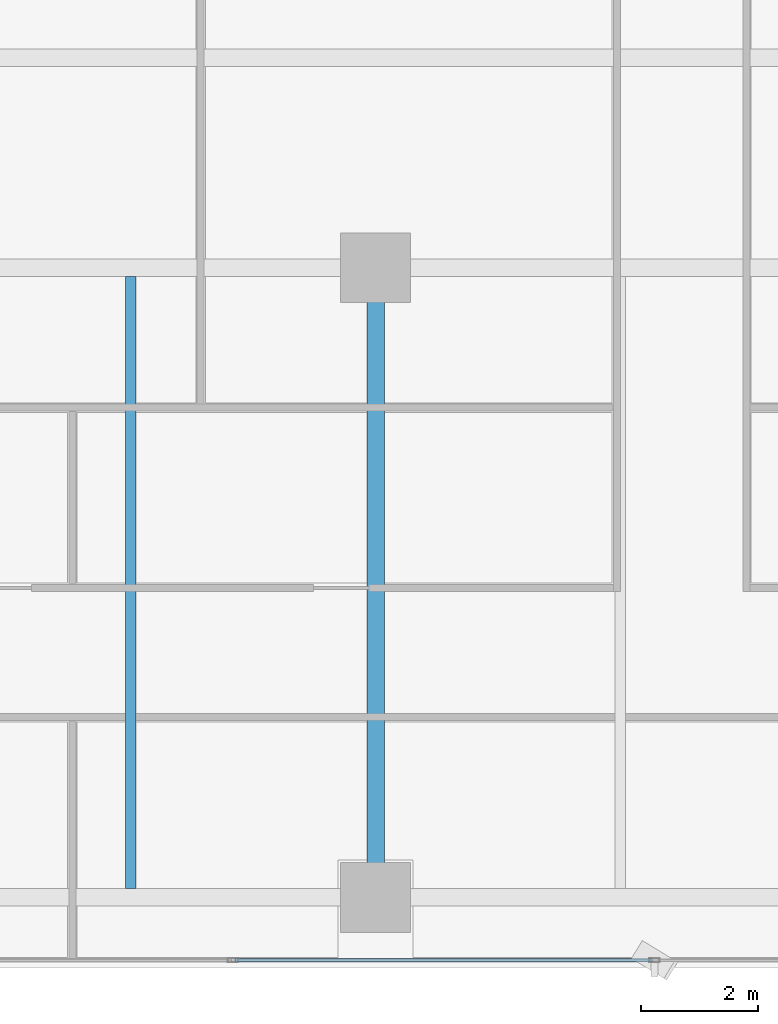
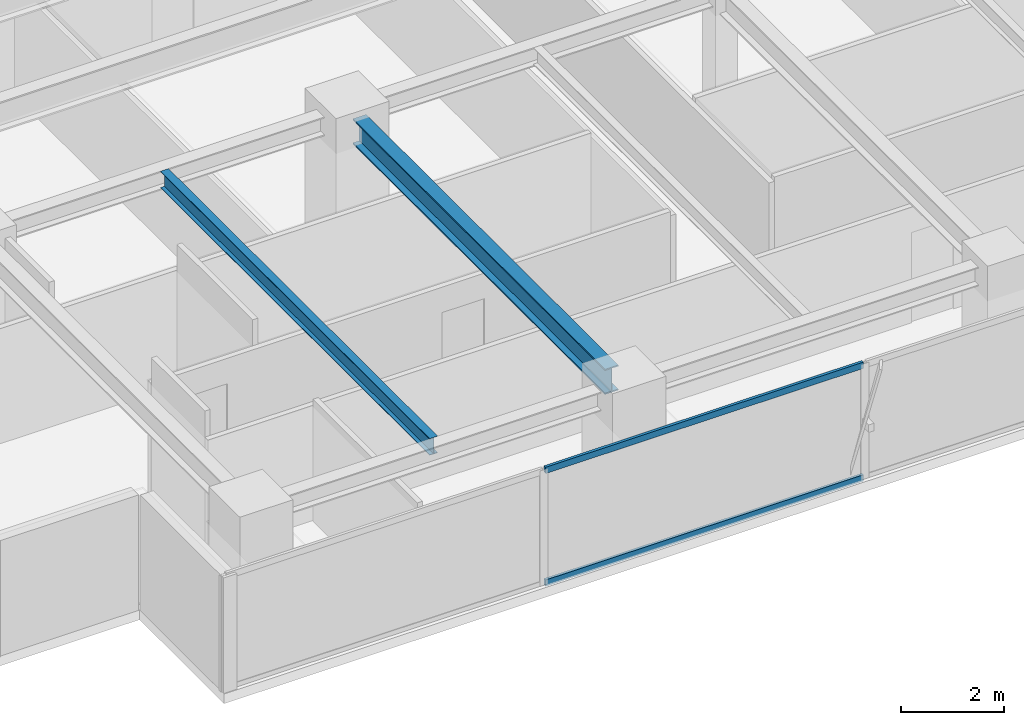
# One storey, part 3 of 23: 2 beams, 2 members, 1 element without a shape of its own.
"""IFC4 building model written with IfcOpenShell, lengths in metres."""

from ifc_helpers import new_model, si_unit, direction, frame, origin, origin_2d, place, context, subcontext, project, spatial, hollow_rectangle, i_section, extrude, source, transform, mapped, material, layer, layer_set, material_profile, profile_set, type_object, element, aggregate, save


model = new_model("IFC4")

# Units and contexts
model_context = context("Model", 3, precision=1e-05, world=origin(), true_north=direction((0.0, 1.0)))
body_context = subcontext(model_context, "Body", "Model", "MODEL_VIEW")
ifc_project = project(units=[si_unit("LENGTHUNIT", "METRE"), si_unit("AREAUNIT", "SQUARE_METRE"), si_unit("VOLUMEUNIT", "CUBIC_METRE"), si_unit("PLANEANGLEUNIT", "RADIAN"), si_unit("MASSUNIT", "GRAM", prefix="KILO")], contexts=[model_context])

# Site, building, storey
site_placement = place(None, origin())
site = spatial("IfcSite", under=ifc_project, at=site_placement, CompositionType="ELEMENT")
building_placement = place(site_placement, origin())
building = spatial("IfcBuilding", under=site, at=building_placement, Name="Sumidabori Civic Tower", CompositionType="ELEMENT")
storey_placement = place(building_placement, frame((0.0, 0.0, 275.60009765625)))
storey = spatial("IfcBuildingStorey", under=building, at=storey_placement, Name="L72", CompositionType="ELEMENT", Elevation=275.60009765625)

# Beams
ifc_material_1 = material(Name="Steel SN490", Category="steel")
ifc_material_profile_1 = material_profile(ifc_material_1, i_section(OverallWidth=0.300048828125, OverallDepth=0.60009765625, WebThickness=0.015380859375, FlangeThickness=0.030029296875, at=origin_2d()), Name="HE 600 B")
ifc_profile_set_1 = profile_set([ifc_material_profile_1], Name="Steel SN490")
beam_type_1 = type_object("IfcBeamType", Name="BM-GIRD-600", PredefinedType="BEAM", material=ifc_profile_set_1)
shared_shape_1 = source(origin(), body_context, "Body", "SweptSolid", [
    extrude(i_section(OverallWidth=0.300048828125, OverallDepth=0.60009765625, WebThickness=0.015380859375, FlangeThickness=0.030029296875, at=origin_2d()), origin(), (0.0, 0.0, 1.0), 9.840087890625),
])
beam_1_placement = place(storey_placement, frame((-8.39990234375, -10.320068359375, 3.06982421875), z_axis=(0.0, 1.0, 0.0), x_axis=(-1.0, 0.0, 0.0)))
element("IfcBeam", 1, at=beam_1_placement, inside=storey, type_object=beam_type_1, Name="Primary Girder L72 GY-12", PredefinedType="BEAM", context=body_context, shape_type="MappedRepresentation", body=[
    mapped(shared_shape_1, transform((0.0, 0.0, 0.0), x_axis=(1.0, 0.0, 0.0), y_axis=(0.0, 1.0, 0.0), z_axis=(0.0, 0.0, 1.0), scale=1.0)),
])
ifc_material_profile_2 = material_profile(ifc_material_1, i_section(OverallWidth=0.179931640625, OverallDepth=0.39990234375, WebThickness=0.008544921875, FlangeThickness=0.013427734375, at=origin_2d()), Name="IPE 400")
ifc_profile_set_2 = profile_set([ifc_material_profile_2], Name="Steel SN490")
beam_type_2 = type_object("IfcBeamType", Name="BM-JST-400", PredefinedType="JOIST", material=ifc_profile_set_2)
shared_shape_2 = source(origin(), body_context, "Body", "SweptSolid", [
    extrude(i_section(OverallWidth=0.179931640625, OverallDepth=0.39990234375, WebThickness=0.008544921875, FlangeThickness=0.013427734375, at=origin_2d()), origin(), (0.0, 0.0, 1.0), 10.5),
])
beam_2_placement = place(storey_placement, frame((-12.60009765625, -10.64990234375, 3.169921875), z_axis=(0.0, 1.0, 0.0), x_axis=(-1.0, 0.0, 0.0)))
element("IfcBeam", 2, at=beam_2_placement, inside=storey, type_object=beam_type_2, Name="Upper Lens N-S Floor Joist L72 JSTV-24", PredefinedType="JOIST", context=body_context, shape_type="MappedRepresentation", body=[
    mapped(shared_shape_2, transform((0.0, 0.0, 0.0), x_axis=(1.0, 0.0, 0.0), y_axis=(0.0, 1.0, 0.0), z_axis=(0.0, 0.0, 1.0), scale=1.0)),
])

# Curtain wall, members
ifc_material_2 = material(Name="Anodised Bronze Aluminium AW-6063-T6", Category="aluminium")
ifc_layer = layer(ifc_material_2, 0.179931640625, Name="Anodised Bronze Aluminium AW-6063-T6")
ifc_layer_set = layer_set([ifc_layer], Name="Anodised Bronze Aluminium AW-6063-T6")
curtain_wall_type = type_object("IfcCurtainWallType", Name="CW-SYS-6", PredefinedType="NOTDEFINED", material=ifc_layer_set)
curtain_wall_placement = place(storey_placement, origin())
curtain_wall = element("IfcCurtainWall", 3, at=curtain_wall_placement, inside=storey, type_object=curtain_wall_type, Name="Curtain Wall CW:L72:R01", PredefinedType="NOTDEFINED")
ifc_material_profile_3 = material_profile(ifc_material_2, hollow_rectangle(XDim=0.06494140625, YDim=0.14990234375, WallThickness=0.0048828125, at=origin_2d()), Name="ALU TRANSOM 150x65")
ifc_profile_set_3 = profile_set([ifc_material_profile_3], Name="Anodised Bronze Aluminium AW-6063-T6")
member_type = type_object("IfcMemberType", Name="CW-TRN-150", PredefinedType="USERDEFINED", material=ifc_profile_set_3)
shared_shape_3 = source(origin(), body_context, "Body", "SweptSolid", [
    extrude(hollow_rectangle(XDim=0.06494140625, YDim=0.14990234375, WallThickness=0.0048828125, at=origin_2d()), origin(), (0.0, 0.0, 1.0), 7.157958984375),
])
member_1_placement = place(storey_placement, frame((-10.806884765625, -11.8798828125, 0.032470703125), z_axis=(1.0, 0.0, 0.0), x_axis=(0.0, 1.0, 0.0)))
member_1 = element("IfcMember", 4, at=member_1_placement, type_object=member_type, Name="CW-6 transom 2.1", ObjectType="TRANSOM", PredefinedType="USERDEFINED", context=body_context, shape_type="MappedRepresentation", body=[
    mapped(shared_shape_3, transform((0.0, 0.0, 0.0), x_axis=(1.0, 0.0, 0.0), y_axis=(0.0, 1.0, 0.0), z_axis=(0.0, 0.0, 1.0), scale=1.0)),
])
member_2_placement = place(storey_placement, frame((-10.806884765625, -11.8798828125, 2.71728515625), z_axis=(1.0, 0.0, 0.0), x_axis=(0.0, 1.0, 0.0)))
member_2 = element("IfcMember", 5, at=member_2_placement, type_object=member_type, Name="CW-6 transom 2.2", ObjectType="TRANSOM", PredefinedType="USERDEFINED", context=body_context, shape_type="MappedRepresentation", body=[
    mapped(shared_shape_3, transform((0.0, 0.0, 0.0), x_axis=(1.0, 0.0, 0.0), y_axis=(0.0, 1.0, 0.0), z_axis=(0.0, 0.0, 1.0), scale=1.0)),
])
aggregate(curtain_wall, [member_1, member_2])

save(model, "model.ifc")
